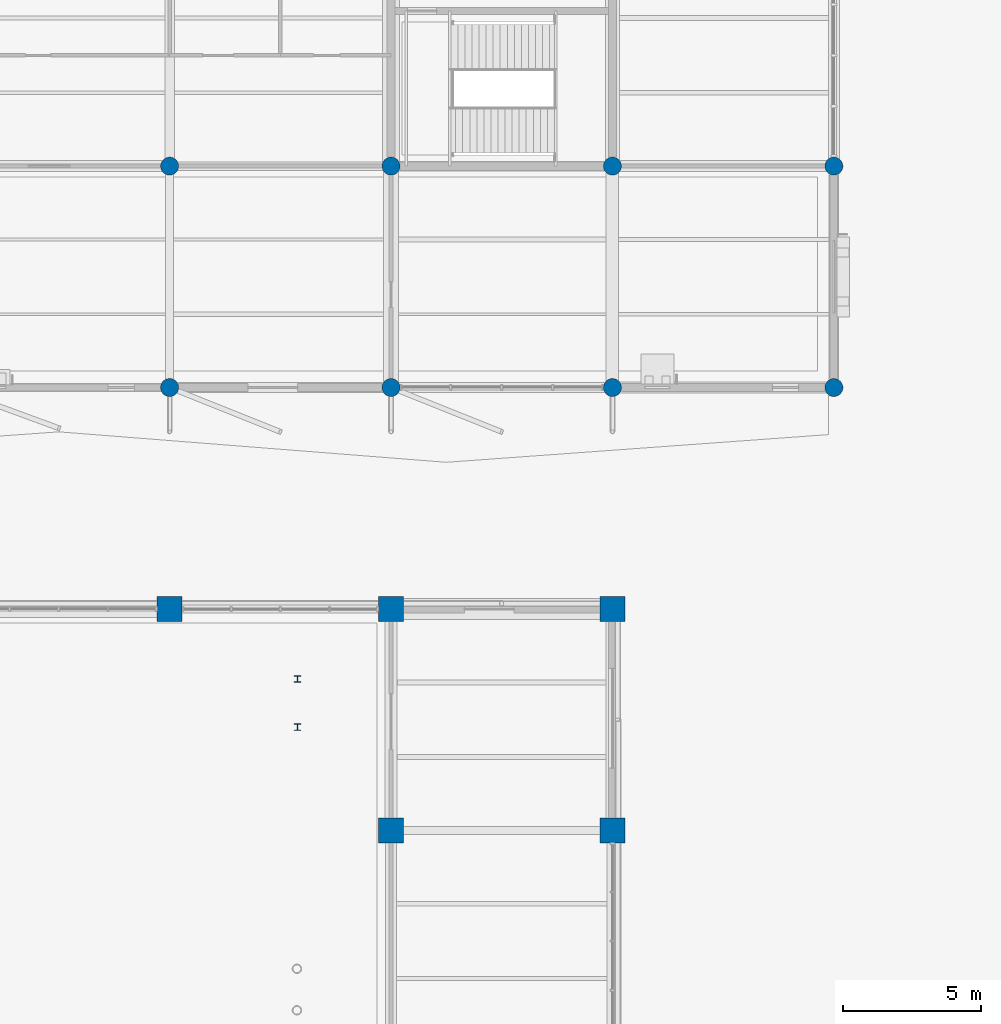
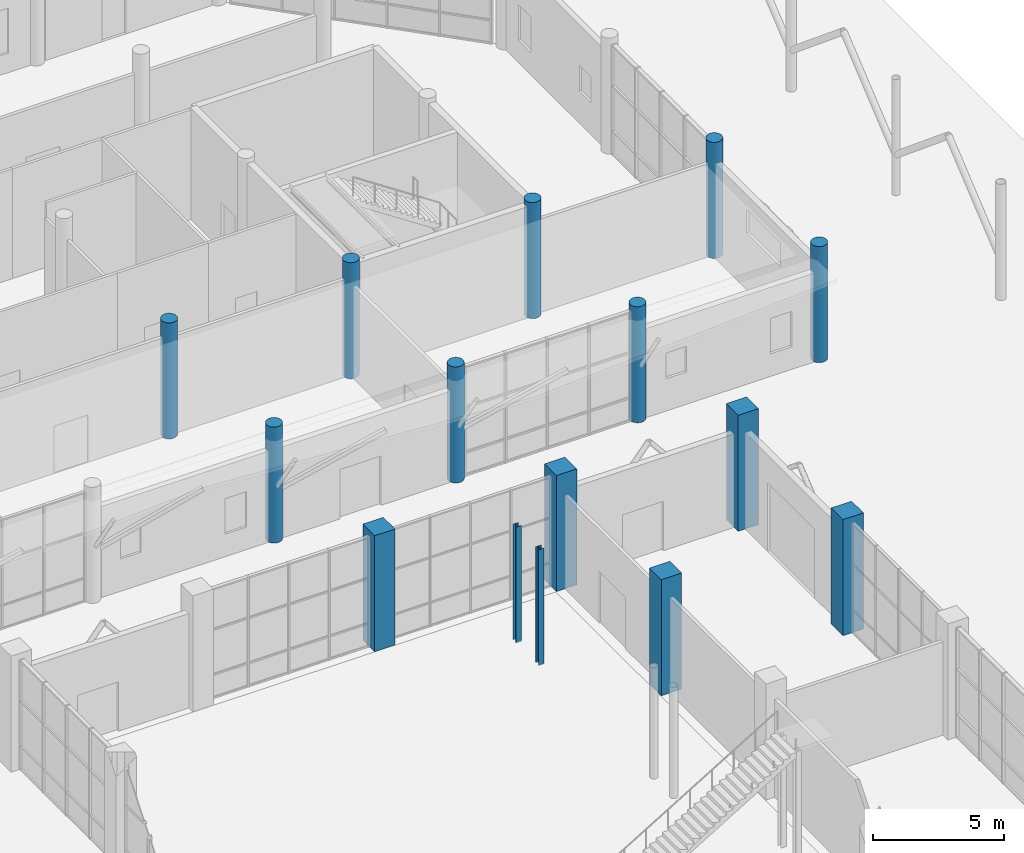
# One storey, part 17 of 123: 15 columns.
"""IFC4 building model written with IfcOpenShell, lengths in metres."""

from ifc_helpers import new_model, si_unit, direction, frame, origin, origin_2d, place, context, subcontext, project, spatial, rectangle, circle, i_section, extrude, material, material_profile, profile_set, type_object, element, save


model = new_model("IFC4")

# Units and contexts
model_context = context("Model", 3, precision=1e-05, world=origin(), true_north=direction((0.0, 1.0)))
body_context = subcontext(model_context, "Body", "Model", "MODEL_VIEW")
ifc_project = project(units=[si_unit("LENGTHUNIT", "METRE"), si_unit("AREAUNIT", "SQUARE_METRE"), si_unit("VOLUMEUNIT", "CUBIC_METRE"), si_unit("PLANEANGLEUNIT", "RADIAN"), si_unit("MASSUNIT", "GRAM", prefix="KILO")], contexts=[model_context])

# Site, building, storey
site_placement = place(None, origin())
site = spatial("IfcSite", under=ifc_project, at=site_placement, CompositionType="ELEMENT")
building_placement = place(site_placement, origin())
building = spatial("IfcBuilding", under=site, at=building_placement, Name="Tenunan Teduh Sports Hall", CompositionType="ELEMENT")
storey_placement = place(building_placement, origin())
storey = spatial("IfcBuildingStorey", under=building, at=storey_placement, Name="L00", CompositionType="ELEMENT", Elevation=0.0)

# Columns
ifc_material_1 = material(Name="Concrete C40/50", Category="concrete")
ifc_material_profile_1 = material_profile(ifc_material_1, rectangle(XDim=0.89990234375, YDim=0.89990234375, at=origin_2d()), Name="RC 900x900")
ifc_profile_set_1 = profile_set([ifc_material_profile_1], Name="Concrete C40/50")
column_type_1 = type_object("IfcColumnType", Name="COL-RC-900", PredefinedType="COLUMN", material=ifc_profile_set_1)
for number, where, z_axis, x_axis, name in (
    (1, (138.0, 78.0, 0.0), (0.0, 0.0, 1.0), (1.0, 0.0, 0.0), "COL-C-03-L00-180"),
    (2, (146.0, 70.0, 0.0), (0.0, 0.0, 1.0), (1.0, 0.0, 0.0), "COL-C-03-L00-192"),
    (3, (146.0, 78.0, 0.0), (0.0, 0.0, 1.0), (1.0, 0.0, 0.0), "COL-C-03-L00-193"),
    (4, (154.0, 70.0, 0.0), (0.0, 0.0, 1.0), (1.0, 0.0, 0.0), "COL-C-03-L00-205"),
    (5, (154.0, 78.0, 0.0), (0.0, 0.0, 1.0), (1.0, 0.0, 0.0), "COL-C-03-L00-206"),
):
    element("IfcColumn", number, at=place(storey_placement, frame(where, z_axis=z_axis, x_axis=x_axis)), inside=storey, type_object=column_type_1, Name=name, PredefinedType="COLUMN", context=body_context, shape_type="SweptSolid", body=[
        extrude(rectangle(XDim=0.89990234375, YDim=0.89990234375, at=origin_2d()), origin(), (0.0, 0.0, 1.0), 5.39990234375),
    ])
ifc_material_2 = material(Name="Concrete C40/50", Category="concrete")
ifc_material_profile_2 = material_profile(ifc_material_2, circle(Radius=0.324951171875, at=origin_2d()), Name="RCC D650")
ifc_profile_set_2 = profile_set([ifc_material_profile_2], Name="Concrete C40/50")
column_type_2 = type_object("IfcColumnType", Name="COL-RCC-650", PredefinedType="COLUMN", material=ifc_profile_set_2)
for number, where, z_axis, x_axis, name in (
    (6, (138.0, 86.0, 0.0), (0.0, 0.0, 1.0), (1.0, 0.0, 0.0), "COL-C-21-L00-181"),
    (7, (138.0, 94.0, 0.0), (0.0, 0.0, 1.0), (1.0, 0.0, 0.0), "COL-C-21-L00-182"),
    (8, (146.0, 86.0, 0.0), (0.0, 0.0, 1.0), (1.0, 0.0, 0.0), "COL-C-21-L00-194"),
    (9, (146.0, 94.0, 0.0), (0.0, 0.0, 1.0), (1.0, 0.0, 0.0), "COL-C-21-L00-195"),
    (10, (154.0, 86.0, 0.0), (0.0, 0.0, 1.0), (1.0, 0.0, 0.0), "COL-C-21-L00-207"),
    (11, (154.0, 94.0, 0.0), (0.0, 0.0, 1.0), (1.0, 0.0, 0.0), "COL-C-21-L00-208"),
    (12, (162.0, 86.0, 0.0), (0.0, 0.0, 1.0), (1.0, 0.0, 0.0), "COL-C-21-L00-216"),
    (13, (162.0, 94.0, 0.0), (0.0, 0.0, 1.0), (1.0, 0.0, 0.0), "COL-C-21-L00-217"),
):
    element("IfcColumn", number, at=place(storey_placement, frame(where, z_axis=z_axis, x_axis=x_axis)), inside=storey, type_object=column_type_2, Name=name, PredefinedType="COLUMN", context=body_context, shape_type="SweptSolid", body=[
        extrude(circle(Radius=0.324951171875, at=origin_2d()), origin(), (0.0, 0.0, 1.0), 5.39990234375),
    ])
ifc_material_3 = material(Name="Steel S355", Category="steel")
ifc_material_profile_3 = material_profile(ifc_material_3, i_section(OverallWidth=0.239990234375, OverallDepth=0.239990234375, WebThickness=0.010009765625, FlangeThickness=0.01708984375, FilletRadius=0.02099609375, at=origin_2d()), Name="HEB 240")
ifc_profile_set_3 = profile_set([ifc_material_profile_3], Name="Steel S355")
column_type_3 = type_object("IfcColumnType", Name="COL-ST-HEB240", PredefinedType="COLUMN", material=ifc_profile_set_3)
for number, where, z_axis, x_axis, name in (
    (14, (142.6201171875, 73.72998046875, 0.0), (0.0, 0.0, 1.0), (1.0, 0.0, 0.0), "COL-SC-04-FST-8-1-L00"),
    (15, (142.6201171875, 75.469970703125, 0.0), (0.0, 0.0, 1.0), (1.0, 0.0, 0.0), "COL-SC-04-FST-8-2-L00"),
):
    element("IfcColumn", number, at=place(storey_placement, frame(where, z_axis=z_axis, x_axis=x_axis)), inside=storey, type_object=column_type_3, Name=name, PredefinedType="COLUMN", context=body_context, shape_type="SweptSolid", body=[
        extrude(i_section(OverallWidth=0.239990234375, OverallDepth=0.239990234375, WebThickness=0.010009765625, FlangeThickness=0.01708984375, FilletRadius=0.02099609375, at=origin_2d()), origin(), (0.0, 0.0, 1.0), 5.39990234375),
    ])

save(model, "model.ifc")
